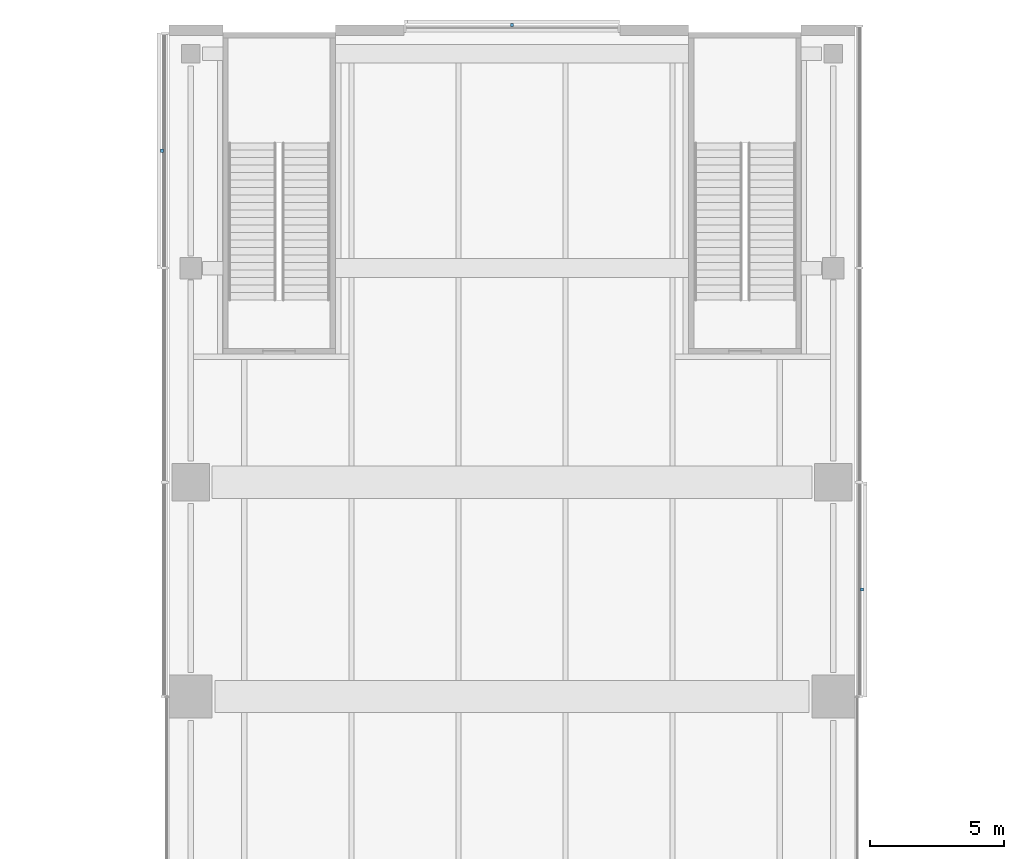
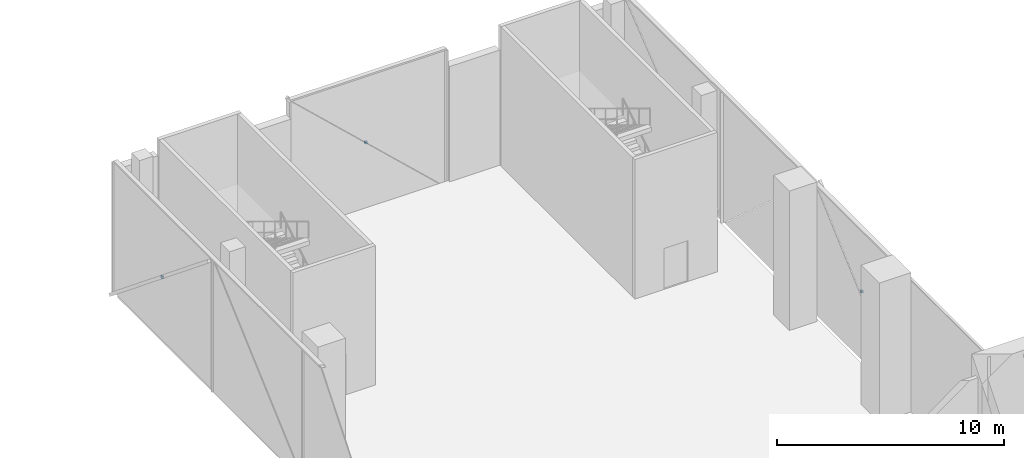
# One storey, part 23 of 25: 3 discrete accessories.
"""IFC4 building model written with IfcOpenShell, lengths in metres."""

from ifc_helpers import new_model, si_unit, direction, frame, origin, origin_2d, place, context, subcontext, project, spatial, rectangle, extrude, material, type_object, element, save


model = new_model("IFC4")

# Units and contexts
model_context = context("Model", 3, precision=1e-05, world=origin(), true_north=direction((0.0, 1.0)))
body_context = subcontext(model_context, "Body", "Model", "MODEL_VIEW")
ifc_project = project(units=[si_unit("LENGTHUNIT", "METRE"), si_unit("AREAUNIT", "SQUARE_METRE"), si_unit("VOLUMEUNIT", "CUBIC_METRE"), si_unit("PLANEANGLEUNIT", "RADIAN"), si_unit("MASSUNIT", "GRAM", prefix="KILO")], contexts=[model_context])

# Site, building, storey
site_placement = place(None, origin())
site = spatial("IfcSite", under=ifc_project, at=site_placement, CompositionType="ELEMENT")
building_placement = place(site_placement, origin())
building = spatial("IfcBuilding", under=site, at=building_placement, Name="Crosswind Convention Tower", CompositionType="ELEMENT")
storey_placement = place(building_placement, frame((0.0, 0.0, 10.0)))
storey = spatial("IfcBuildingStorey", under=building, at=storey_placement, Name="L01", CompositionType="ELEMENT", Elevation=10.0)

# Discrete accessories
ifc_material = material(Name="Stainless steel", Category="steel")
discrete_accessory_type = type_object("IfcDiscreteAccessoryType", Name="BAGUETTE BRACKET BK1", PredefinedType="BRACKET", material=ifc_material)
for number, where, z_axis, x_axis, name in (
    (1, (138.073974609375, 124.0, 3.427490234375), (0.0, 0.0, 1.0), (0.0, 1.0, 0.0), "BK1 baguette bracket"),
    (2, (125.0, 145.073974609375, 3.25), (0.0, 0.0, 1.0), (-1.0, 0.0, 0.0), "BK1 baguette bracket"),
    (3, (111.926025390625, 140.3798828125, 3.427490234375), (0.0, 0.0, 1.0), (0.0, -1.0, 0.0), "BK1 baguette bracket"),
):
    element("IfcDiscreteAccessory", number, at=place(storey_placement, frame(where, z_axis=z_axis, x_axis=x_axis)), inside=storey, type_object=discrete_accessory_type, Name=name, PredefinedType="BRACKET", context=body_context, shape_type="SweptSolid", body=[
        extrude(rectangle(XDim=0.1201171875, YDim=0.10009765625, at=origin_2d()), origin(), (0.0, 0.0, 1.0), 0.1201171875),
    ])

save(model, "model.ifc")
